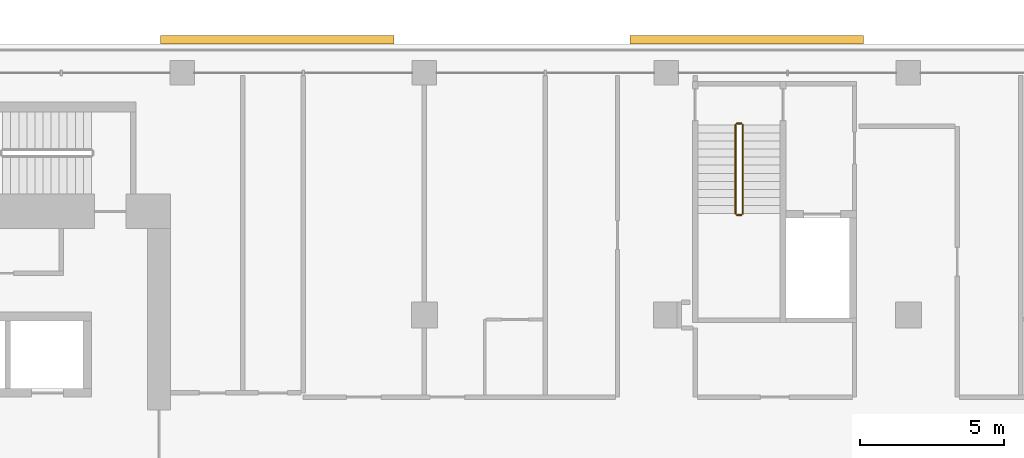
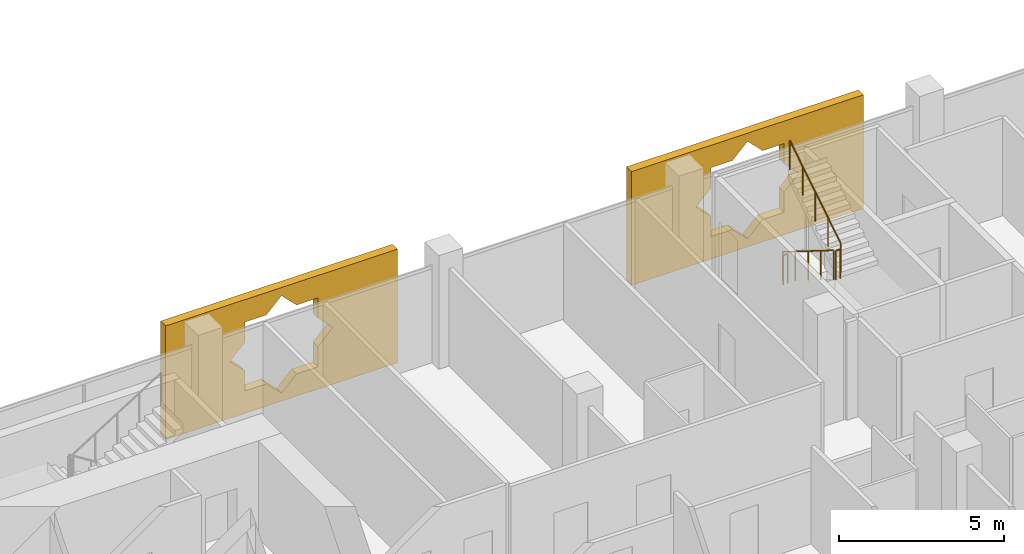
# One storey, part 20 of 21: 4 railings, 2 coverings.
"""IFC4 building model written with IfcOpenShell, lengths in metres."""

from ifc_helpers import new_model, si_unit, direction, frame, origin, origin_2d, place, context, subcontext, project, spatial, polyline, circle, outline, extrude, material, material_profile, profile_set, type_object, element, save


model = new_model("IFC4")

# Units and contexts
model_context = context("Model", 3, precision=1e-05, world=origin(), true_north=direction((0.0, 1.0)))
body_context = subcontext(model_context, "Body", "Model", "MODEL_VIEW")
ifc_project = project(units=[si_unit("LENGTHUNIT", "METRE"), si_unit("AREAUNIT", "SQUARE_METRE"), si_unit("VOLUMEUNIT", "CUBIC_METRE"), si_unit("PLANEANGLEUNIT", "RADIAN"), si_unit("MASSUNIT", "GRAM", prefix="KILO")], contexts=[model_context])

# Site, building, storey
site_placement = place(None, origin())
site = spatial("IfcSite", under=ifc_project, at=site_placement, CompositionType="ELEMENT")
building_placement = place(site_placement, origin())
building = spatial("IfcBuilding", under=site, at=building_placement, Name="Kawkab Arch Medical Tower", CompositionType="ELEMENT")
storey_placement = place(building_placement, frame((0.0, 0.0, 230.60009765625)))
storey = spatial("IfcBuildingStorey", under=building, at=storey_placement, Name="L53", CompositionType="ELEMENT", Elevation=230.60009765625)

# Coverings
ifc_material_1 = material(Name="Bronze anodised aluminium mashrabiya panel, eight-point star pattern", Category="aluminium")
ifc_material_profile = material_profile(ifc_material_1, outline(polyline([(-4.050048828125, -2.10009765625), (4.050048828125, -2.10009765625), (4.050048828125, 2.10009765625), (-4.050048828125, 2.10009765625), (-4.050048828125, -2.10009765625)]), holes=[polyline([(1.800048828125, 0.0), (1.272705078125, 0.527099609375), (1.272705078125, 1.272705078125), (0.527099609375, 1.272705078125), (0.0, 1.800048828125), (-0.527099609375, 1.272705078125), (-1.272705078125, 1.272705078125), (-1.272705078125, 0.527099609375), (-1.800048828125, 0.0), (-1.272705078125, -0.527099609375), (-1.272705078125, -1.272705078125), (-0.527099609375, -1.272705078125), (0.0, -1.800048828125), (0.527099609375, -1.272705078125), (1.272705078125, -1.272705078125), (1.272705078125, -0.527099609375), (1.800048828125, 0.0)])]), Name="Mashrabiya panel 8100x4200")
ifc_profile_set = profile_set([ifc_material_profile], Name="Bronze anodised aluminium mashrabiya panel, eight-point star pattern")
covering_type = type_object("IfcCoveringType", Name="Mashrabiya panel 8100 x 4200", PredefinedType="USERDEFINED", material=ifc_profile_set)
for number, where, z_axis, x_axis, name in (
    (1, (28.5, 1.0, 1.699951171875), (0.0, 1.0, 0.0), (-1.0, 0.0, 0.0), "Mashrabiya panel L53.LOG-01-01.8"),
    (2, (44.787109375, 1.0, 1.699951171875), (0.0, 1.0, 0.0), (-1.0, 0.0, 0.0), "Mashrabiya panel L53.LOG-01-01.9"),
):
    element("IfcCovering", number, at=place(storey_placement, frame(where, z_axis=z_axis, x_axis=x_axis)), inside=storey, type_object=covering_type, Name=name, ObjectType="SCREEN", PredefinedType="USERDEFINED", context=body_context, shape_type="SweptSolid", body=[
        extrude(outline(polyline([(-4.050048828125, -2.10009765625), (4.050048828125, -2.10009765625), (4.050048828125, 2.10009765625), (-4.050048828125, 2.10009765625), (-4.050048828125, -2.10009765625)]), holes=[polyline([(1.800048828125, 0.0), (1.272705078125, 0.527099609375), (1.272705078125, 1.272705078125), (0.527099609375, 1.272705078125), (0.0, 1.800048828125), (-0.527099609375, 1.272705078125), (-1.272705078125, 1.272705078125), (-1.272705078125, 0.527099609375), (-1.800048828125, 0.0), (-1.272705078125, -0.527099609375), (-1.272705078125, -1.272705078125), (-0.527099609375, -1.272705078125), (0.0, -1.800048828125), (0.527099609375, -1.272705078125), (1.272705078125, -1.272705078125), (1.272705078125, -0.527099609375), (1.800048828125, 0.0)])]), origin(), (0.0, 0.0, 1.0), 0.300048828125),
    ])

# Railings
ifc_material_2 = material(Name="Stainless steel", Category="steel")
railing_type = type_object("IfcRailingType", Name="Stair guard 1100", PredefinedType="GUARDRAIL", material=ifc_material_2)
railing_1_placement = place(storey_placement, frame((44.39990234375, -1.800048828125, 0.1748046875)))
element("IfcRailing", 3, at=railing_1_placement, inside=storey, type_object=railing_type, Name="L53 ST5 stair guard 1", PredefinedType="GUARDRAIL", context=body_context, shape_type="SweptSolid", body=[
    extrude(circle(Radius=0.02392578125, at=origin_2d()), frame((0.0, 0.0, 1.076171875), z_axis=(0.0, -0.847979421464, 0.530029150871), x_axis=(1.0, 0.0, 0.0)), (0.0, 0.0, 1.0), 3.632080078125),
    extrude(circle(Radius=0.02099609375, at=origin_2d()), origin(), (0.0, 0.0, 1.0), 1.052001953125),
    extrude(circle(Radius=0.02099609375, at=origin_2d()), frame((0.0, -0.77001953125, 0.481201171875)), (0.0, 0.0, 1.0), 1.052001953125),
    extrude(circle(Radius=0.02099609375, at=origin_2d()), frame((0.0, -1.5400390625, 0.96240234375)), (0.0, 0.0, 1.0), 1.052001953125),
    extrude(circle(Radius=0.02099609375, at=origin_2d()), frame((0.0, -2.309814453125, 1.44384765625)), (0.0, 0.0, 1.0), 1.052001953125),
    extrude(circle(Radius=0.02099609375, at=origin_2d()), frame((0.0, -3.079833984375, 1.925048828125)), (0.0, 0.0, 1.0), 1.052001953125),
])
railing_2_placement = place(storey_placement, frame((44.449951171875, -4.929931640625, 2.099853515625)))
element("IfcRailing", 4, at=railing_2_placement, inside=storey, type_object=railing_type, Name="L53 ST5 stair guard 2", PredefinedType="GUARDRAIL", context=body_context, shape_type="SweptSolid", body=[
    extrude(circle(Radius=0.02392578125, at=origin_2d()), frame((0.0, 0.0, 1.076171875), z_axis=(1.0, 0.0, 0.0), x_axis=(0.0, 1.0, 0.0)), (0.0, 0.0, 1.0), 0.150146484375),
    extrude(circle(Radius=0.02099609375, at=origin_2d()), origin(), (0.0, 0.0, 1.0), 1.052001953125),
    extrude(circle(Radius=0.02099609375, at=origin_2d()), frame((0.150146484375, 0.0, 0.0)), (0.0, 0.0, 1.0), 1.052001953125),
])
railing_3_placement = place(storey_placement, frame((44.64990234375, -4.8798828125, 2.27490234375)))
element("IfcRailing", 5, at=railing_3_placement, inside=storey, type_object=railing_type, Name="L53 ST5 stair guard 3", PredefinedType="GUARDRAIL", context=body_context, shape_type="SweptSolid", body=[
    extrude(circle(Radius=0.02392578125, at=origin_2d()), frame((0.0, 0.0, 1.076171875), z_axis=(0.0, 0.847979421464, 0.530029150871), x_axis=(-1.0, 0.0, 0.0)), (0.0, 0.0, 1.0), 3.632080078125),
    extrude(circle(Radius=0.02099609375, at=origin_2d()), origin(), (0.0, 0.0, 1.0), 1.052001953125),
    extrude(circle(Radius=0.02099609375, at=origin_2d()), frame((0.0, 0.77001953125, 0.481201171875)), (0.0, 0.0, 1.0), 1.052001953125),
    extrude(circle(Radius=0.02099609375, at=origin_2d()), frame((0.0, 1.5400390625, 0.96240234375)), (0.0, 0.0, 1.0), 1.052001953125),
    extrude(circle(Radius=0.02099609375, at=origin_2d()), frame((0.0, 2.309814453125, 1.44384765625)), (0.0, 0.0, 1.0), 1.052001953125),
    extrude(circle(Radius=0.02099609375, at=origin_2d()), frame((0.0, 3.079833984375, 1.925048828125)), (0.0, 0.0, 1.0), 1.052001953125),
])
railing_4_placement = place(storey_placement, frame((44.449951171875, -1.75, 0.0)))
element("IfcRailing", 6, at=railing_4_placement, inside=storey, type_object=railing_type, Name="L53 ST5 stair guard 4", PredefinedType="GUARDRAIL", context=body_context, shape_type="SweptSolid", body=[
    extrude(circle(Radius=0.02392578125, at=origin_2d()), frame((0.0, 0.0, 1.076171875), z_axis=(1.0, 0.0, 0.0), x_axis=(0.0, 1.0, 0.0)), (0.0, 0.0, 1.0), 0.150146484375),
    extrude(circle(Radius=0.02099609375, at=origin_2d()), origin(), (0.0, 0.0, 1.0), 1.052001953125),
    extrude(circle(Radius=0.02099609375, at=origin_2d()), frame((0.150146484375, 0.0, 0.0)), (0.0, 0.0, 1.0), 1.052001953125),
])

save(model, "model.ifc")
